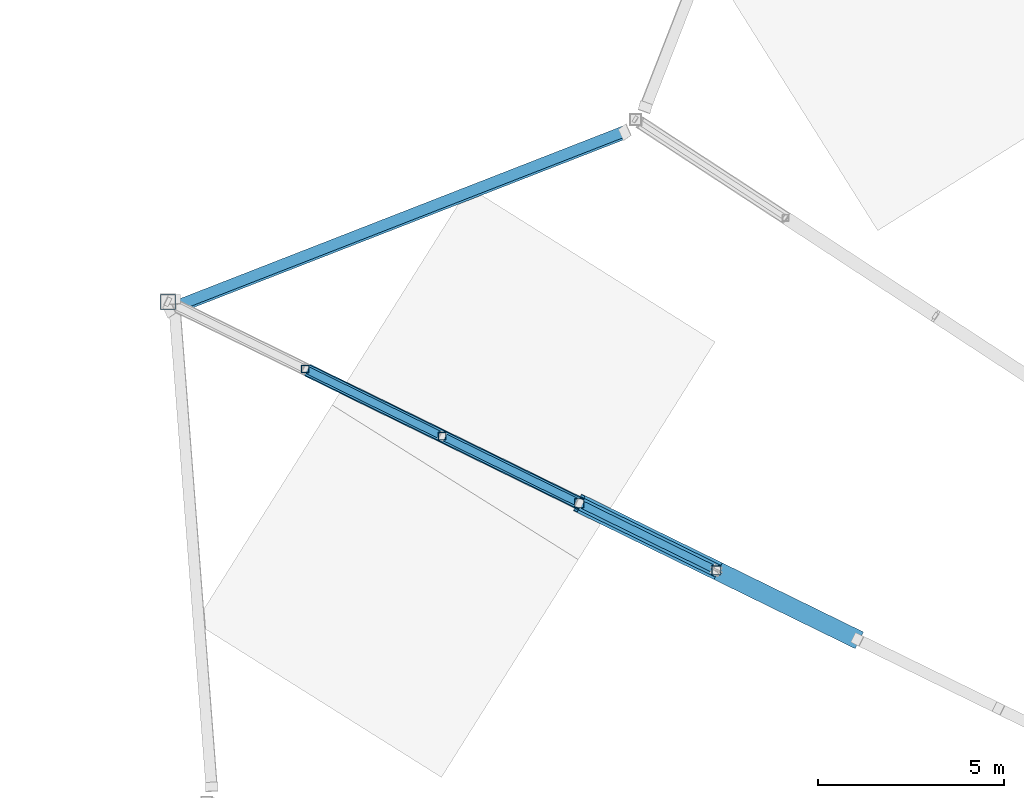
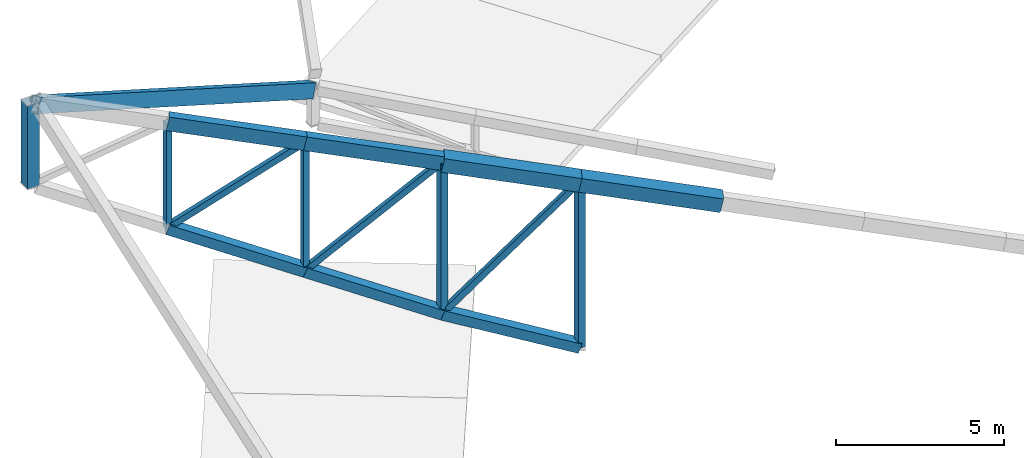
# One storey, part 68 of 188: 15 members, 1 beam.
"""IFC4 building model written with IfcOpenShell, lengths in metres."""

import ifcopenshell
import ifcopenshell.guid

model = None  # the IFC model being written
_history = None  # IfcOwnerHistory: only IFC2X3 demands one
_inside = {}  # id of a spatial element -> (the spatial element, [elements in it])
_under = {}  # id of a project, library or spatial element -> (it, [spatial elements below it])
_declared = {}  # id of a project -> (the project, [libraries it declares])
_typed = {}  # id of a type object -> (the type object, [elements of that type])
_made_of = {}  # id of a material, layer set ... -> (it, [elements and type objects made of it])


def new_model(schema):
    """Start an empty IFC model of exactly this schema.

    Asked for "IFC4X3", IfcOpenShell would pick the latest addendum, in which some entities
    have other attributes; the version numbers below select the first issue.
    IFC2X3 requires an IfcOwnerHistory on every rooted entity: one is made here for all.
    """
    global model, _history
    if schema == "IFC4X3":
        model = ifcopenshell.file(schema_version=(4, 3, 0, 0))
    else:
        model = ifcopenshell.file(schema=schema)
    _inside.clear()
    _under.clear()
    _declared.clear()
    _typed.clear()
    _made_of.clear()
    _history = None
    if model.schema == "IFC2X3":
        org = make("IfcOrganization", Name="unknown")
        user = make(
            "IfcPersonAndOrganization",
            ThePerson=make("IfcPerson", FamilyName="unknown"),
            TheOrganization=org,
        )
        app = make(
            "IfcApplication",
            ApplicationDeveloper=org,
            Version="unknown",
            ApplicationFullName="unknown",
            ApplicationIdentifier="unknown",
        )
        _history = make(
            "IfcOwnerHistory",
            OwningUser=user,
            OwningApplication=app,
            ChangeAction="ADDED",
            CreationDate=0,
        )
    return model


def make(cls, **values):
    """One entity of the class cls with the attributes given. An attribute that is None is left unset."""
    return model.create_entity(
        cls, **{name: value for name, value in values.items() if value is not None}
    )


def rooted(cls, **values):
    """An entity with a GlobalId (a new one), such as an element, a storey or a relation."""
    return make(cls, GlobalId=ifcopenshell.guid.new(), OwnerHistory=_history, **values)


def si_unit(unit_type, name, prefix=None):
    """IfcSIUnit, for example si_unit("LENGTHUNIT", "METRE", prefix="MILLI")."""
    return make("IfcSIUnit", UnitType=unit_type, Prefix=prefix, Name=name)


def assignment(units):
    """IfcUnitAssignment: the units of a project."""
    return None if units is None else make("IfcUnitAssignment", Units=units)


def point(xyz):
    """IfcCartesianPoint."""
    return None if xyz is None else make("IfcCartesianPoint", Coordinates=xyz)


def direction(xyz):
    """IfcDirection."""
    return None if xyz is None else make("IfcDirection", DirectionRatios=xyz)


def frame(location, z_axis=None, x_axis=None):
    """IfcAxis2Placement3D, a coordinate frame: its origin and axes. An axis left out is left unset."""
    return make(
        "IfcAxis2Placement3D",
        Location=point(location),
        Axis=direction(z_axis),
        RefDirection=direction(x_axis),
    )


def frame_2d(location, x_axis=None):
    """IfcAxis2Placement2D, a coordinate frame in the plane: its origin and x axis."""
    return make(
        "IfcAxis2Placement2D", Location=point(location), RefDirection=direction(x_axis)
    )


def origin():
    """The frame at (0, 0, 0) with its axes left unset."""
    return frame((0.0, 0.0, 0.0))


def origin_2d():
    """The frame at (0, 0) in the plane with its x axis left unset."""
    return frame_2d((0.0, 0.0))


def place(relative_to, where):
    """IfcLocalPlacement: puts the frame where relative to a parent placement (None: the world)."""
    return make(
        "IfcLocalPlacement", PlacementRelTo=relative_to, RelativePlacement=where
    )


def context(
    kind, dimensions, precision=None, world=None, true_north=None, identifier=None
):
    """IfcGeometricRepresentationContext, for example the 3D "Model" context."""
    return make(
        "IfcGeometricRepresentationContext",
        ContextIdentifier=identifier,
        ContextType=kind,
        CoordinateSpaceDimension=dimensions,
        Precision=precision,
        WorldCoordinateSystem=world,
        TrueNorth=true_north,
    )


def subcontext(parent, identifier, kind, view, scale=None):
    """IfcGeometricRepresentationSubContext, for example "Body" below "Model"."""
    return make(
        "IfcGeometricRepresentationSubContext",
        ContextIdentifier=identifier,
        ContextType=kind,
        ParentContext=parent,
        TargetScale=scale,
        TargetView=view,
    )


def project(units=None, contexts=None):
    """IfcProject with its units and contexts."""
    return rooted(
        "IfcProject",
        Name="project",
        RepresentationContexts=contexts,
        UnitsInContext=assignment(units),
    )


def spatial(cls, under=None, at=None, **own):
    """A site, building, storey or space (cls), placed at a placement, below another one or the project."""
    s = rooted(cls, ObjectPlacement=at, **own)
    if under is not None:
        _under.setdefault(under.id(), (under, []))[1].append(s)
    return s


def profile(cls, at=None, kind="AREA", **sizes):
    """A parametric profile (cls). Its sizes go by their IFC names, for example OverallWidth=200.0."""
    return make(cls, ProfileType=kind, Position=at, **sizes)


def hollow_rectangle(**sizes):
    """IfcRectangleHollowProfileDef."""
    return profile("IfcRectangleHollowProfileDef", **sizes)


def extrude(swept, where, along, depth):
    """IfcExtrudedAreaSolid: the profile swept, set in the frame where, extruded along a direction by depth."""
    return make(
        "IfcExtrudedAreaSolid",
        SweptArea=swept,
        Position=where,
        ExtrudedDirection=direction(along),
        Depth=depth,
    )


def shape(context_of_items, identifier, shape_type, items):
    """IfcShapeRepresentation: the items that make up one representation, for example the "Body"."""
    return make(
        "IfcShapeRepresentation",
        ContextOfItems=context_of_items,
        RepresentationIdentifier=identifier,
        RepresentationType=shape_type,
        Items=items,
    )


def material(Name=None, Category=None):
    """IfcMaterial."""
    return make("IfcMaterial", Name=Name, Category=Category)


def material_profile(
    of_material, cross_section, Name=None, Category=None, Priority=None
):
    """IfcMaterialProfile: a cross section and its material."""
    return make(
        "IfcMaterialProfile",
        Name=Name,
        Material=of_material,
        Profile=cross_section,
        Priority=Priority,
        Category=Category,
    )


def profile_set(profiles, Name=None, composite=None):
    """IfcMaterialProfileSet."""
    return make(
        "IfcMaterialProfileSet",
        Name=Name,
        MaterialProfiles=profiles,
        CompositeProfile=composite,
    )


def made_of(thing, what):
    """Note that an element or type object is made of a material, layer set ...; save() writes the relation."""
    if what is not None:
        _made_of.setdefault(what.id(), (what, []))[1].append(thing)
    return thing


def type_object(cls, material=None, **own):
    """A type object (cls), such as IfcWallType, which elements share."""
    return made_of(rooted(cls, **own), material)


def element(
    cls,
    number,
    at=None,
    inside=None,
    cuts=None,
    type_object=None,
    material=None,
    context=None,
    identifier="Body",
    shape_type=None,
    held_by="IfcProductDefinitionShape",
    body=None,
    shapes=None,
    **own,
):
    """One element of the class cls, such as IfcWall. Its Tag is "e" and its number.

    at: its placement. inside: the storey or other place that contains it. cuts: it is an
    opening in that element (IfcRelVoidsElement). A single representation is given by context,
    identifier, shape_type and body (its items); several are given by shapes. held_by: the class
    of the entity that holds the representations. save() writes the other relations.
    """
    e = rooted(cls, Tag="e%d" % number, ObjectPlacement=at, **own)
    if body is not None:
        shapes = [shape(context, identifier, shape_type, body)]
    if shapes is not None:
        e.Representation = make(held_by, Representations=shapes)
    if inside is not None:
        _inside.setdefault(inside.id(), (inside, []))[1].append(e)
    if cuts is not None:
        rooted(
            "IfcRelVoidsElement", RelatingBuildingElement=cuts, RelatedOpeningElement=e
        )
    if type_object is not None:
        _typed.setdefault(type_object.id(), (type_object, []))[1].append(e)
    return made_of(e, material)


def aggregate(whole, parts):
    """IfcRelAggregates: a whole, such as a stair, and the parts it consists of."""
    return rooted("IfcRelAggregates", RelatingObject=whole, RelatedObjects=parts)


def save(model, path):
    """Write the relations noted so far, then the file.

    IfcRelAggregates (storeys below a building ...), IfcRelContainedInSpatialStructure (elements
    in a storey), IfcRelDefinesByType, IfcRelAssociatesMaterial and IfcRelDeclares: one each for
    every whole, place, type object, material and project.
    """
    for whole, parts in _under.values():
        aggregate(whole, parts)
    for where, things in _inside.values():
        rooted(
            "IfcRelContainedInSpatialStructure",
            RelatedElements=things,
            RelatingStructure=where,
        )
    for kind, things in _typed.values():
        rooted("IfcRelDefinesByType", RelatedObjects=things, RelatingType=kind)
    for what, things in _made_of.values():
        rooted("IfcRelAssociatesMaterial", RelatedObjects=things, RelatingMaterial=what)
    for by, libraries in _declared.values():
        rooted("IfcRelDeclares", RelatingContext=by, RelatedDefinitions=libraries)
    model.write(path)


model = new_model("IFC4")

# Units and contexts
model_context = context("Model", 3, precision=1e-05, world=origin(), true_north=direction((0.0, 1.0)))
body_context = subcontext(model_context, "Body", "Model", "MODEL_VIEW")
ifc_project = project(units=[si_unit("LENGTHUNIT", "METRE"), si_unit("AREAUNIT", "SQUARE_METRE"), si_unit("VOLUMEUNIT", "CUBIC_METRE"), si_unit("PLANEANGLEUNIT", "RADIAN"), si_unit("MASSUNIT", "GRAM", prefix="KILO")], contexts=[model_context])

# Site, building, storey
site_placement = place(None, origin())
site = spatial("IfcSite", under=ifc_project, at=site_placement, CompositionType="ELEMENT")
building_placement = place(site_placement, origin())
building = spatial("IfcBuilding", under=site, at=building_placement, Name="Meseta Stadium", CompositionType="ELEMENT")
storey_placement = place(building_placement, frame((0.0, 0.0, 30.0)))
storey = spatial("IfcBuildingStorey", under=building, at=storey_placement, Name="ROOF", CompositionType="ELEMENT", Elevation=30.0)

# Beam
ifc_material_1 = material(Name="Steel S355", Category="steel")
ifc_material_profile_1 = material_profile(ifc_material_1, hollow_rectangle(XDim=0.300048828125, YDim=0.5, WallThickness=0.01611328125, at=origin_2d()), Name="RHS 500x300x16")
ifc_profile_set_1 = profile_set([ifc_material_profile_1], Name="Steel S355")
beam_type = type_object("IfcBeamType", Name="RHS 500x300x16 rim ring beam", PredefinedType="BEAM", material=ifc_profile_set_1)
beam_placement = place(storey_placement, frame((-80.65966796875, 84.02197265625, 3.80908203125), z_axis=(-0.831613431393, -0.324275993686, 0.450848290056), x_axis=(0.409810375495, -0.906208930798, 0.104119305984)))
element("IfcBeam", 1, at=beam_placement, inside=storey, type_object=beam_type, Name="RIM RING BEAM 26", PredefinedType="BEAM", context=body_context, shape_type="SweptSolid", body=[
    extrude(hollow_rectangle(XDim=0.300048828125, YDim=0.5, WallThickness=0.01611328125, at=origin_2d()), origin(), (0.0, 0.0, 1.0), 14.6728515625),
])

# Members
ifc_material_2 = material(Name="Steel S355", Category="steel")
ifc_material_profile_2 = material_profile(ifc_material_2, hollow_rectangle(XDim=0.300048828125, YDim=0.5, WallThickness=0.01611328125, at=origin_2d()), Name="RHS 500x300x16")
ifc_profile_set_2 = profile_set([ifc_material_profile_2], Name="Steel S355")
member_type_1 = type_object("IfcMemberType", Name="RHS 500x300x16 top chord", PredefinedType="CHORD", material=ifc_profile_set_2)
for number, where, z_axis, x_axis, name in (
    (2, (-81.87548828125, 74.072509765625, 7.682373046875), (-0.876466757561, 0.42915685102, 0.218243946336), (-0.439757537934, -0.898116533547, 0.0), "ROOF TRUSS RT-26 top chord"),
    (3, (-85.55322265625, 75.873291015625, 8.59814453125), (-0.876488641902, 0.429109382237, 0.21824939563), (-0.439709445712, -0.898140080028, 0.0), "ROOF TRUSS RT-26 top chord"),
):
    element("IfcMember", number, at=place(storey_placement, frame(where, z_axis=z_axis, x_axis=x_axis)), inside=storey, type_object=member_type_1, Name=name, PredefinedType="CHORD", context=body_context, shape_type="SweptSolid", body=[
        extrude(hollow_rectangle(XDim=0.300048828125, YDim=0.5, WallThickness=0.01611328125, at=origin_2d()), origin(), (0.0, 0.0, 1.0), 4.196044921875),
    ])
ifc_material_3 = material(Name="Steel S355", Category="steel")
ifc_material_profile_3 = material_profile(ifc_material_3, hollow_rectangle(XDim=0.199951171875, YDim=0.199951171875, WallThickness=0.008056640625, at=origin_2d()), Name="SHS 200x200x8")
ifc_profile_set_3 = profile_set([ifc_material_profile_3], Name="Steel S355")
member_type_2 = type_object("IfcMemberType", Name="SHS 200x200x8 diagonal", PredefinedType="BRACE", material=ifc_profile_set_3)
member_1_placement = place(storey_placement, frame((-78.197998046875, 72.27197265625, 6.7666015625), z_axis=(-0.598684129431, 0.293121918247, -0.745423942606), x_axis=(-0.439732992632, -0.898128551595, 0.0)))
element("IfcMember", 4, at=member_1_placement, inside=storey, type_object=member_type_2, Name="ROOF TRUSS RT-26 diagonal", PredefinedType="BRACE", context=body_context, shape_type="SweptSolid", body=[
    extrude(hollow_rectangle(XDim=0.199951171875, YDim=0.199951171875, WallThickness=0.008056640625, at=origin_2d()), origin(), (0.0, 0.0, 1.0), 6.142578125),
])
member_2_placement = place(storey_placement, frame((-81.87548828125, 74.072509765625, 7.682373046875), z_axis=(-0.662564410929, 0.324420810874, -0.675099651046), x_axis=(-0.439757537934, -0.898116533547, 0.0)))
element("IfcMember", 5, at=member_2_placement, inside=storey, type_object=member_type_2, Name="ROOF TRUSS RT-26 diagonal", PredefinedType="BRACE", context=body_context, shape_type="SweptSolid", body=[
    extrude(hollow_rectangle(XDim=0.199951171875, YDim=0.199951171875, WallThickness=0.008056640625, at=origin_2d()), origin(), (0.0, 0.0, 1.0), 5.55078125),
])
member_3_placement = place(storey_placement, frame((-85.55322265625, 75.873291015625, 8.59814453125), z_axis=(-0.7316156764, 0.358182794308, -0.580037574565), x_axis=(-0.439709445712, -0.898140080028, 0.0)))
element("IfcMember", 6, at=member_3_placement, inside=storey, type_object=member_type_2, Name="ROOF TRUSS RT-26 diagonal", PredefinedType="BRACE", context=body_context, shape_type="SweptSolid", body=[
    extrude(hollow_rectangle(XDim=0.199951171875, YDim=0.199951171875, WallThickness=0.008056640625, at=origin_2d()), origin(), (0.0, 0.0, 1.0), 5.02685546875),
])
ifc_material_4 = material(Name="Steel S355", Category="steel")
ifc_material_profile_4 = material_profile(ifc_material_4, hollow_rectangle(XDim=0.199951171875, YDim=0.199951171875, WallThickness=0.008056640625, at=origin_2d()), Name="SHS 200x200x8")
ifc_profile_set_4 = profile_set([ifc_material_profile_4], Name="Steel S355")
member_type_3 = type_object("IfcMemberType", Name="SHS 200x200x8 post", PredefinedType="POST", material=ifc_profile_set_4)
member_4_placement = place(storey_placement, frame((-85.55322265625, 75.873291015625, 3.93505859375), z_axis=(0.0, 0.0, 1.0), x_axis=(1.0, 0.0, 0.0)))
element("IfcMember", 7, at=member_4_placement, inside=storey, type_object=member_type_3, Name="ROOF TRUSS RT-26 post", PredefinedType="POST", context=body_context, shape_type="SweptSolid", body=[
    extrude(hollow_rectangle(XDim=0.199951171875, YDim=0.199951171875, WallThickness=0.008056640625, at=origin_2d()), origin(), (0.0, 0.0, 1.0), 4.6630859375),
])
member_5_placement = place(storey_placement, frame((-89.23095703125, 77.673828125, 5.682373046875), z_axis=(0.0, 0.0, 1.0), x_axis=(1.0, 0.0, 0.0)))
element("IfcMember", 8, at=member_5_placement, inside=storey, type_object=member_type_3, Name="ROOF TRUSS RT-26 post", PredefinedType="POST", context=body_context, shape_type="SweptSolid", body=[
    extrude(hollow_rectangle(XDim=0.199951171875, YDim=0.199951171875, WallThickness=0.008056640625, at=origin_2d()), origin(), (0.0, 0.0, 1.0), 3.83154296875),
])
ifc_material_5 = material(Name="Steel S355", Category="steel")
ifc_material_profile_5 = material_profile(ifc_material_5, hollow_rectangle(XDim=0.25, YDim=0.25, WallThickness=0.010009765625, at=origin_2d()), Name="SHS 250x250x10")
ifc_profile_set_5 = profile_set([ifc_material_profile_5], Name="Steel S355")
member_type_4 = type_object("IfcMemberType", Name="SHS 250x250x10 post", PredefinedType="POST", material=ifc_profile_set_5)
member_6_placement = place(storey_placement, frame((-78.197998046875, 72.27197265625, 0.785400390625), z_axis=(0.0, 0.0, 1.0), x_axis=(1.0, 0.0, 0.0)))
element("IfcMember", 9, at=member_6_placement, inside=storey, type_object=member_type_4, Name="ROOF TRUSS RT-26 post", PredefinedType="POST", context=body_context, shape_type="SweptSolid", body=[
    extrude(hollow_rectangle(XDim=0.25, YDim=0.25, WallThickness=0.010009765625, at=origin_2d()), origin(), (0.0, 0.0, 1.0), 5.981201171875),
])
member_7_placement = place(storey_placement, frame((-81.87548828125, 74.072509765625, 2.187744140625), z_axis=(0.0, 0.0, 1.0), x_axis=(1.0, 0.0, 0.0)))
element("IfcMember", 10, at=member_7_placement, inside=storey, type_object=member_type_4, Name="ROOF TRUSS RT-26 post", PredefinedType="POST", context=body_context, shape_type="SweptSolid", body=[
    extrude(hollow_rectangle(XDim=0.25, YDim=0.25, WallThickness=0.010009765625, at=origin_2d()), origin(), (0.0, 0.0, 1.0), 5.49462890625),
])
ifc_material_6 = material(Name="Steel S355", Category="steel")
ifc_material_profile_6 = material_profile(ifc_material_6, hollow_rectangle(XDim=0.35009765625, YDim=0.35009765625, WallThickness=0.010009765625, at=origin_2d()), Name="SHS 350x350x10")
ifc_profile_set_6 = profile_set([ifc_material_profile_6], Name="Steel S355")
member_type_5 = type_object("IfcMemberType", Name="SHS 350x350x10 bottom chord", PredefinedType="CHORD", material=ifc_profile_set_6)
member_8_placement = place(storey_placement, frame((-78.197998046875, 72.27197265625, 0.785400390625), z_axis=(-0.849678043698, 0.416011124761, 0.324009206865), x_axis=(-0.439732992632, -0.898128551595, 0.0)))
element("IfcMember", 11, at=member_8_placement, inside=storey, type_object=member_type_5, Name="ROOF TRUSS RT-26 bottom chord", PredefinedType="CHORD", context=body_context, shape_type="SweptSolid", body=[
    extrude(hollow_rectangle(XDim=0.35009765625, YDim=0.35009765625, WallThickness=0.010009765625, at=origin_2d()), origin(), (0.0, 0.0, 1.0), 4.328125),
])
for number, where, z_axis, x_axis, name in (
    (12, (-81.87548828125, 74.072509765625, 2.187744140625), (-0.826057818279, 0.404474407038, 0.392465202166), (-0.439757537934, -0.898116533547, 0.0), "ROOF TRUSS RT-26 bottom chord"),
    (13, (-85.55322265625, 75.873291015625, 3.93505859375), (-0.826076139594, 0.404428540196, 0.392473906736), (-0.439709445712, -0.898140080028, 0.0), "ROOF TRUSS RT-26 bottom chord"),
):
    element("IfcMember", number, at=place(storey_placement, frame(where, z_axis=z_axis, x_axis=x_axis)), inside=storey, type_object=member_type_5, Name=name, PredefinedType="CHORD", context=body_context, shape_type="SweptSolid", body=[
        extrude(hollow_rectangle(XDim=0.35009765625, YDim=0.35009765625, WallThickness=0.010009765625, at=origin_2d()), origin(), (0.0, 0.0, 1.0), 4.4521484375),
    ])
ifc_material_7 = material(Name="Steel S355", Category="steel")
ifc_material_profile_7 = material_profile(ifc_material_7, hollow_rectangle(XDim=0.39990234375, YDim=0.39990234375, WallThickness=0.01416015625, at=origin_2d()), Name="SHS 400x400x14.2")
ifc_profile_set_7 = profile_set([ifc_material_profile_7], Name="Steel S355")
member_type_6 = type_object("IfcMemberType", Name="SHS 400x400x14.2 rim post", PredefinedType="POST", material=ifc_profile_set_7)
member_9_placement = place(storey_placement, frame((-92.908447265625, 79.474609375, 7.4296875), z_axis=(0.0, 0.0, 1.0), x_axis=(1.0, 0.0, 0.0)))
element("IfcMember", 14, at=member_9_placement, inside=storey, type_object=member_type_6, Name="ROOF TRUSS RT-26 post", PredefinedType="POST", context=body_context, shape_type="SweptSolid", body=[
    extrude(hollow_rectangle(XDim=0.39990234375, YDim=0.39990234375, WallThickness=0.01416015625, at=origin_2d()), origin(), (0.0, 0.0, 1.0), 3.0),
])
ifc_material_8 = material(Name="Steel S355", Category="steel")
ifc_material_profile_8 = material_profile(ifc_material_8, hollow_rectangle(XDim=0.5, YDim=0.5, WallThickness=0.01611328125, at=origin_2d()), Name="SHS 500x500x16")
ifc_profile_set_8 = profile_set([ifc_material_profile_8], Name="Steel S355")
member_type_7 = type_object("IfcMemberType", Name="SHS 500x500x16 top chord", PredefinedType="CHORD", material=ifc_profile_set_8)
member_10_placement = place(storey_placement, frame((-74.41015625, 70.41748046875, 5.823486328125), z_axis=(-0.876487635382, 0.429120211303, 0.218232145374), x_axis=(-0.439718804076, -0.89813549832, 0.0)))
element("IfcMember", 15, at=member_10_placement, inside=storey, type_object=member_type_7, Name="ROOF TRUSS RT-26 top chord", PredefinedType="CHORD", context=body_context, shape_type="SweptSolid", body=[
    extrude(hollow_rectangle(XDim=0.5, YDim=0.5, WallThickness=0.01611328125, at=origin_2d()), origin(), (0.0, 0.0, 1.0), 4.321533203125),
])
member_11_placement = place(storey_placement, frame((-78.197998046875, 72.27197265625, 6.7666015625), z_axis=(-0.876475155626, 0.429131266862, 0.218260526373), x_axis=(-0.439732992632, -0.898128551595, 0.0)))
element("IfcMember", 16, at=member_11_placement, inside=storey, type_object=member_type_7, Name="ROOF TRUSS RT-26 top chord", PredefinedType="CHORD", context=body_context, shape_type="SweptSolid", body=[
    extrude(hollow_rectangle(XDim=0.5, YDim=0.5, WallThickness=0.01611328125, at=origin_2d()), origin(), (0.0, 0.0, 1.0), 4.19580078125),
])

save(model, "model.ifc")
